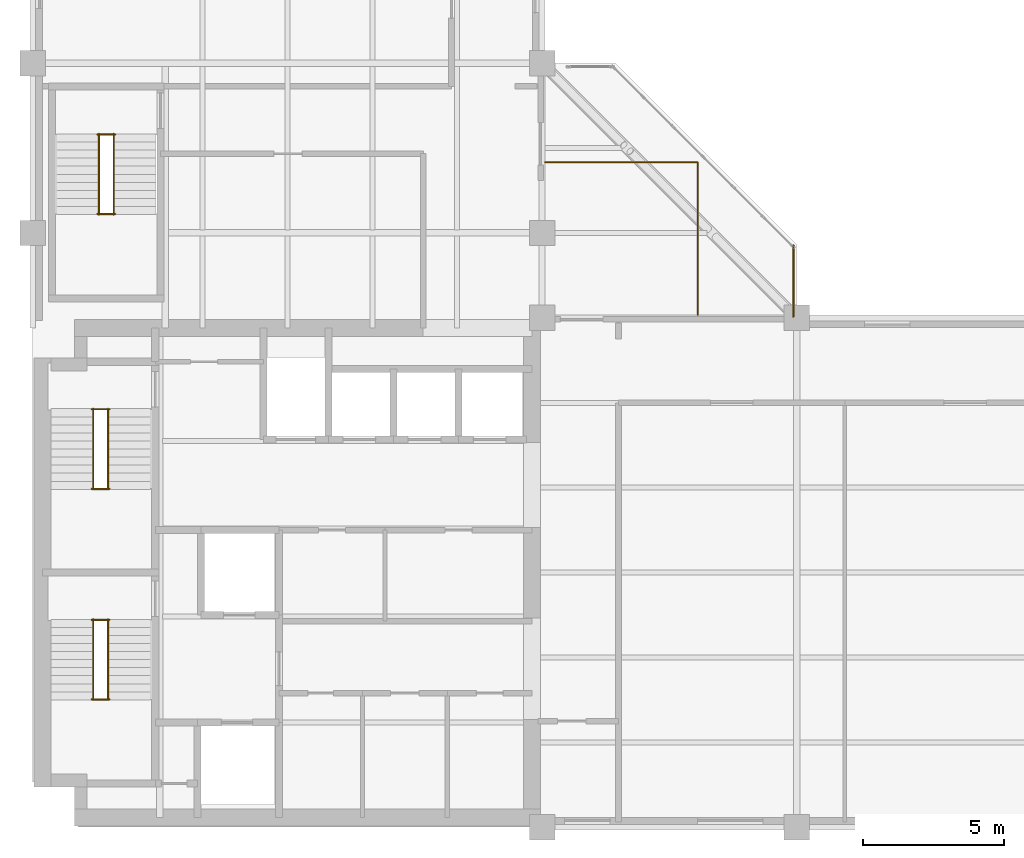
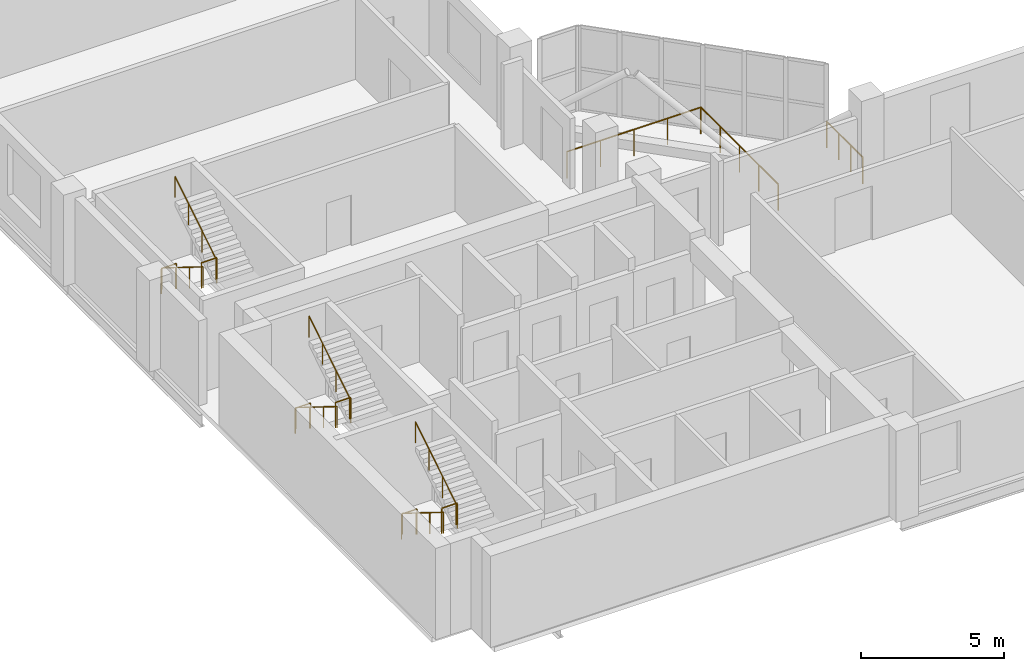
# One storey, part 9 of 9: 14 railings.
"""IFC4 building model written with IfcOpenShell, lengths in metres."""

from ifc_helpers import new_model, si_unit, direction, frame, origin, origin_2d, place, context, subcontext, project, spatial, circle, extrude, material, type_object, element, save


model = new_model("IFC4")

# Units and contexts
model_context = context("Model", 3, precision=1e-05, world=origin(), true_north=direction((0.0, 1.0)))
body_context = subcontext(model_context, "Body", "Model", "MODEL_VIEW")
ifc_project = project(units=[si_unit("LENGTHUNIT", "METRE"), si_unit("AREAUNIT", "SQUARE_METRE"), si_unit("VOLUMEUNIT", "CUBIC_METRE"), si_unit("PLANEANGLEUNIT", "RADIAN"), si_unit("MASSUNIT", "GRAM", prefix="KILO")], contexts=[model_context])

# Site, building, storey
site_placement = place(None, origin())
site = spatial("IfcSite", under=ifc_project, at=site_placement, CompositionType="ELEMENT")
building_placement = place(site_placement, origin())
building = spatial("IfcBuilding", under=site, at=building_placement, Name="Mawjdan Bourse Tower", CompositionType="ELEMENT")
storey_placement = place(building_placement, frame((0.0, 0.0, 222.89990234375)))
storey = spatial("IfcBuildingStorey", under=building, at=storey_placement, Name="L54", CompositionType="ELEMENT", Elevation=222.89990234375)

# Railings
ifc_material_1 = material(Name="Stainless Steel and Laminated Glass", Category="steel")
railing_type_1 = type_object("IfcRailingType", Name="RLG-BAL-1150", PredefinedType="BALUSTRADE", material=ifc_material_1)
railing_1_placement = place(storey_placement, frame((24.10009765625, 26.5, 0.0)))
element("IfcRailing", 1, at=railing_1_placement, inside=storey, type_object=railing_type_1, Name="L54 Atrium Sky Bridge Inner Balustrade", PredefinedType="BALUSTRADE", context=body_context, shape_type="SweptSolid", body=[
    extrude(circle(Radius=0.02685546875, at=origin_2d()), frame((0.0, 0.0, 1.123046875), z_axis=(1.0, 0.0, 0.0), x_axis=(0.0, 1.0, 0.0)), (0.0, 0.0, 1.0), 5.39990234375),
    extrude(circle(Radius=0.02685546875, at=origin_2d()), frame((5.39990234375, 0.0, 1.123046875), z_axis=(0.0, -1.0, 0.0), x_axis=(1.0, 0.0, 0.0)), (0.0, 0.0, 1.0), 5.39990234375),
    extrude(circle(Radius=0.02294921875, at=origin_2d()), origin(), (0.0, 0.0, 1.0), 1.095947265625),
    extrude(circle(Radius=0.02294921875, at=origin_2d()), frame((1.35009765625, 0.0, 0.0)), (0.0, 0.0, 1.0), 1.095947265625),
    extrude(circle(Radius=0.02294921875, at=origin_2d()), frame((2.699951171875, 0.0, 0.0)), (0.0, 0.0, 1.0), 1.095947265625),
    extrude(circle(Radius=0.02294921875, at=origin_2d()), frame((4.0498046875, 0.0, 0.0)), (0.0, 0.0, 1.0), 1.095947265625),
    extrude(circle(Radius=0.02294921875, at=origin_2d()), frame((5.39990234375, 0.0, 0.0)), (0.0, 0.0, 1.0), 1.095947265625),
    extrude(circle(Radius=0.02294921875, at=origin_2d()), frame((5.39990234375, -1.35009765625, 0.0)), (0.0, 0.0, 1.0), 1.095947265625),
    extrude(circle(Radius=0.02294921875, at=origin_2d()), frame((5.39990234375, -2.699951171875, 0.0)), (0.0, 0.0, 1.0), 1.095947265625),
    extrude(circle(Radius=0.02294921875, at=origin_2d()), frame((5.39990234375, -4.0498046875, 0.0)), (0.0, 0.0, 1.0), 1.095947265625),
    extrude(circle(Radius=0.02294921875, at=origin_2d()), frame((5.39990234375, -5.39990234375, 0.0)), (0.0, 0.0, 1.0), 1.095947265625),
])
railing_2_placement = place(storey_placement, frame((32.8798828125, 21.0400390625, 0.0)))
element("IfcRailing", 2, at=railing_2_placement, inside=storey, type_object=railing_type_1, Name="L54 Atrium Sky Bridge East Return Balustrade", PredefinedType="BALUSTRADE", context=body_context, shape_type="SweptSolid", body=[
    extrude(circle(Radius=0.02685546875, at=origin_2d()), frame((0.0, 0.0, 1.123046875), z_axis=(0.0, 1.0, 0.0), x_axis=(-1.0, 0.0, 0.0)), (0.0, 0.0, 1.0), 2.52001953125),
    extrude(circle(Radius=0.02294921875, at=origin_2d()), origin(), (0.0, 0.0, 1.0), 1.095947265625),
    extrude(circle(Radius=0.02294921875, at=origin_2d()), frame((0.0, 0.840087890625, 0.0)), (0.0, 0.0, 1.0), 1.095947265625),
    extrude(circle(Radius=0.02294921875, at=origin_2d()), frame((0.0, 1.679931640625, 0.0)), (0.0, 0.0, 1.0), 1.095947265625),
    extrude(circle(Radius=0.02294921875, at=origin_2d()), frame((0.0, 2.52001953125, 0.0)), (0.0, 0.0, 1.0), 1.095947265625),
])
ifc_material_2 = material(Name="Structural Steel S355", Category="steel")
railing_type_2 = type_object("IfcRailingType", Name="RLG-GRD-1100", PredefinedType="GUARDRAIL", material=ifc_material_2)
for number, where, name in (
    (3, (8.090087890625, 7.52001953125, 1.9501953125), "L54 ST1 Landing Guardrail GL-MID"),
    (4, (8.090087890625, 10.330078125, 0.0), "L54 ST1 Landing Guardrail GL-BOT"),
    (5, (8.090087890625, 14.9599609375, 1.9501953125), "L54 ST2 Landing Guardrail GL-MID"),
    (6, (8.090087890625, 17.77001953125, 0.0), "L54 ST2 Landing Guardrail GL-BOT"),
    (7, (8.2900390625, 24.669921875, 1.9501953125), "L54 ST3 Landing Guardrail GL-MID"),
    (8, (8.2900390625, 27.47998046875, 0.0), "L54 ST3 Landing Guardrail GL-BOT"),
):
    element("IfcRailing", number, at=place(storey_placement, frame(where)), inside=storey, type_object=railing_type_2, Name=name, PredefinedType="GUARDRAIL", context=body_context, shape_type="SweptSolid", body=[
        extrude(circle(Radius=0.02490234375, at=origin_2d()), frame((0.0, 0.0, 1.0751953125), z_axis=(1.0, 0.0, 0.0), x_axis=(0.0, 1.0, 0.0)), (0.0, 0.0, 1.0), 0.619873046875),
        extrude(circle(Radius=0.02099609375, at=origin_2d()), origin(), (0.0, 0.0, 1.0), 1.050048828125),
        extrude(circle(Radius=0.02099609375, at=origin_2d()), frame((0.619873046875, 0.0, 0.0)), (0.0, 0.0, 1.0), 1.050048828125),
    ])
ifc_material_3 = material(Name="Brushed Stainless Steel", Category="steel")
railing_type_3 = type_object("IfcRailingType", Name="RLG-HND-920", PredefinedType="HANDRAIL", material=ifc_material_3)
railing_3_placement = place(storey_placement, frame((8.139892578125, 10.35009765625, 0.177490234375)))
element("IfcRailing", 9, at=railing_3_placement, inside=storey, type_object=railing_type_3, Name="L54 ST1 Flight Handrail HR1", PredefinedType="HANDRAIL", context=body_context, shape_type="SweptSolid", body=[
    extrude(circle(Radius=0.0224609375, at=origin_2d()), frame((0.0, 0.0, 0.8974609375), z_axis=(0.0, -0.849148672731, 0.528153890072), x_axis=(1.0, 0.0, 0.0)), (0.0, 0.0, 1.0), 3.3564453125),
    extrude(circle(Radius=0.01904296875, at=origin_2d()), origin(), (0.0, 0.0, 1.0), 0.875),
    extrude(circle(Radius=0.01904296875, at=origin_2d()), frame((0.0, -0.949951171875, 0.5908203125)), (0.0, 0.0, 1.0), 0.875),
    extrude(circle(Radius=0.01904296875, at=origin_2d()), frame((0.0, -1.900146484375, 1.181884765625)), (0.0, 0.0, 1.0), 0.875),
    extrude(circle(Radius=0.01904296875, at=origin_2d()), frame((0.0, -2.85009765625, 1.772705078125)), (0.0, 0.0, 1.0), 0.875),
])
railing_4_placement = place(storey_placement, frame((8.659912109375, 7.5, 2.12744140625)))
element("IfcRailing", 10, at=railing_4_placement, inside=storey, type_object=railing_type_3, Name="L54 ST1 Flight Handrail HR2", PredefinedType="HANDRAIL", context=body_context, shape_type="SweptSolid", body=[
    extrude(circle(Radius=0.0224609375, at=origin_2d()), frame((0.0, 0.0, 0.8974609375), z_axis=(0.0, 0.849148672731, 0.528153890072), x_axis=(-1.0, 0.0, 0.0)), (0.0, 0.0, 1.0), 3.3564453125),
    extrude(circle(Radius=0.01904296875, at=origin_2d()), origin(), (0.0, 0.0, 1.0), 0.875),
    extrude(circle(Radius=0.01904296875, at=origin_2d()), frame((0.0, 0.949951171875, 0.5908203125)), (0.0, 0.0, 1.0), 0.875),
    extrude(circle(Radius=0.01904296875, at=origin_2d()), frame((0.0, 1.900146484375, 1.181884765625)), (0.0, 0.0, 1.0), 0.875),
    extrude(circle(Radius=0.01904296875, at=origin_2d()), frame((0.0, 2.85009765625, 1.772705078125)), (0.0, 0.0, 1.0), 0.875),
])
railing_5_placement = place(storey_placement, frame((8.139892578125, 17.7900390625, 0.177490234375)))
element("IfcRailing", 11, at=railing_5_placement, inside=storey, type_object=railing_type_3, Name="L54 ST2 Flight Handrail HR1", PredefinedType="HANDRAIL", context=body_context, shape_type="SweptSolid", body=[
    extrude(circle(Radius=0.0224609375, at=origin_2d()), frame((0.0, 0.0, 0.8974609375), z_axis=(0.0, -0.849148672731, 0.528153890072), x_axis=(1.0, 0.0, 0.0)), (0.0, 0.0, 1.0), 3.3564453125),
    extrude(circle(Radius=0.01904296875, at=origin_2d()), origin(), (0.0, 0.0, 1.0), 0.875),
    extrude(circle(Radius=0.01904296875, at=origin_2d()), frame((0.0, -0.949951171875, 0.5908203125)), (0.0, 0.0, 1.0), 0.875),
    extrude(circle(Radius=0.01904296875, at=origin_2d()), frame((0.0, -1.900146484375, 1.181884765625)), (0.0, 0.0, 1.0), 0.875),
    extrude(circle(Radius=0.01904296875, at=origin_2d()), frame((0.0, -2.85009765625, 1.772705078125)), (0.0, 0.0, 1.0), 0.875),
])
railing_6_placement = place(storey_placement, frame((8.659912109375, 14.93994140625, 2.12744140625)))
element("IfcRailing", 12, at=railing_6_placement, inside=storey, type_object=railing_type_3, Name="L54 ST2 Flight Handrail HR2", PredefinedType="HANDRAIL", context=body_context, shape_type="SweptSolid", body=[
    extrude(circle(Radius=0.0224609375, at=origin_2d()), frame((0.0, 0.0, 0.8974609375), z_axis=(0.0, 0.849148672731, 0.528153890072), x_axis=(-1.0, 0.0, 0.0)), (0.0, 0.0, 1.0), 3.3564453125),
    extrude(circle(Radius=0.01904296875, at=origin_2d()), origin(), (0.0, 0.0, 1.0), 0.875),
    extrude(circle(Radius=0.01904296875, at=origin_2d()), frame((0.0, 0.949951171875, 0.5908203125)), (0.0, 0.0, 1.0), 0.875),
    extrude(circle(Radius=0.01904296875, at=origin_2d()), frame((0.0, 1.900146484375, 1.181884765625)), (0.0, 0.0, 1.0), 0.875),
    extrude(circle(Radius=0.01904296875, at=origin_2d()), frame((0.0, 2.85009765625, 1.772705078125)), (0.0, 0.0, 1.0), 0.875),
])
railing_7_placement = place(storey_placement, frame((8.340087890625, 27.5, 0.177490234375)))
element("IfcRailing", 13, at=railing_7_placement, inside=storey, type_object=railing_type_3, Name="L54 ST3 Flight Handrail HR1", PredefinedType="HANDRAIL", context=body_context, shape_type="SweptSolid", body=[
    extrude(circle(Radius=0.0224609375, at=origin_2d()), frame((0.0, 0.0, 0.8974609375), z_axis=(0.0, -0.849148672731, 0.528153890072), x_axis=(1.0, 0.0, 0.0)), (0.0, 0.0, 1.0), 3.3564453125),
    extrude(circle(Radius=0.01904296875, at=origin_2d()), origin(), (0.0, 0.0, 1.0), 0.875),
    extrude(circle(Radius=0.01904296875, at=origin_2d()), frame((0.0, -0.949951171875, 0.5908203125)), (0.0, 0.0, 1.0), 0.875),
    extrude(circle(Radius=0.01904296875, at=origin_2d()), frame((0.0, -1.900146484375, 1.181884765625)), (0.0, 0.0, 1.0), 0.875),
    extrude(circle(Radius=0.01904296875, at=origin_2d()), frame((0.0, -2.85009765625, 1.772705078125)), (0.0, 0.0, 1.0), 0.875),
])
railing_8_placement = place(storey_placement, frame((8.860107421875, 24.64990234375, 2.12744140625)))
element("IfcRailing", 14, at=railing_8_placement, inside=storey, type_object=railing_type_3, Name="L54 ST3 Flight Handrail HR2", PredefinedType="HANDRAIL", context=body_context, shape_type="SweptSolid", body=[
    extrude(circle(Radius=0.0224609375, at=origin_2d()), frame((0.0, 0.0, 0.8974609375), z_axis=(0.0, 0.849148672731, 0.528153890072), x_axis=(-1.0, 0.0, 0.0)), (0.0, 0.0, 1.0), 3.3564453125),
    extrude(circle(Radius=0.01904296875, at=origin_2d()), origin(), (0.0, 0.0, 1.0), 0.875),
    extrude(circle(Radius=0.01904296875, at=origin_2d()), frame((0.0, 0.949951171875, 0.5908203125)), (0.0, 0.0, 1.0), 0.875),
    extrude(circle(Radius=0.01904296875, at=origin_2d()), frame((0.0, 1.900146484375, 1.181884765625)), (0.0, 0.0, 1.0), 0.875),
    extrude(circle(Radius=0.01904296875, at=origin_2d()), frame((0.0, 2.85009765625, 1.772705078125)), (0.0, 0.0, 1.0), 0.875),
])

save(model, "model.ifc")
